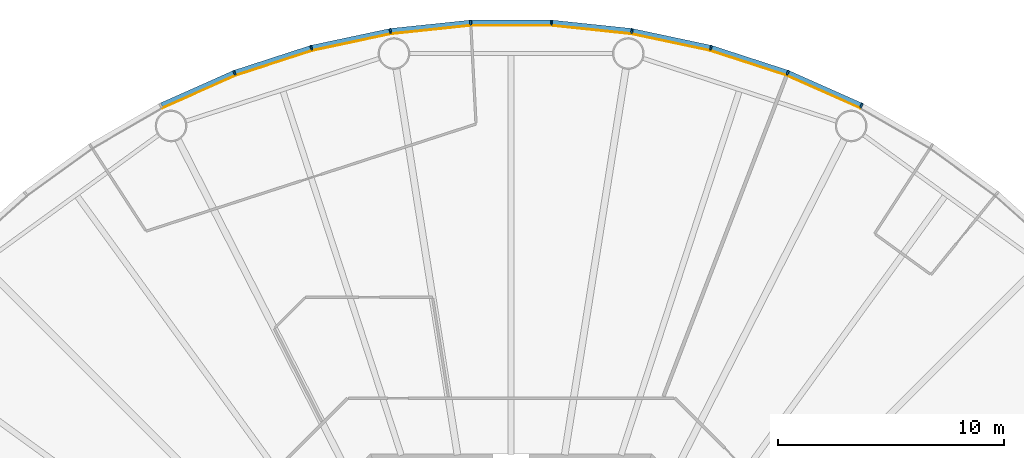
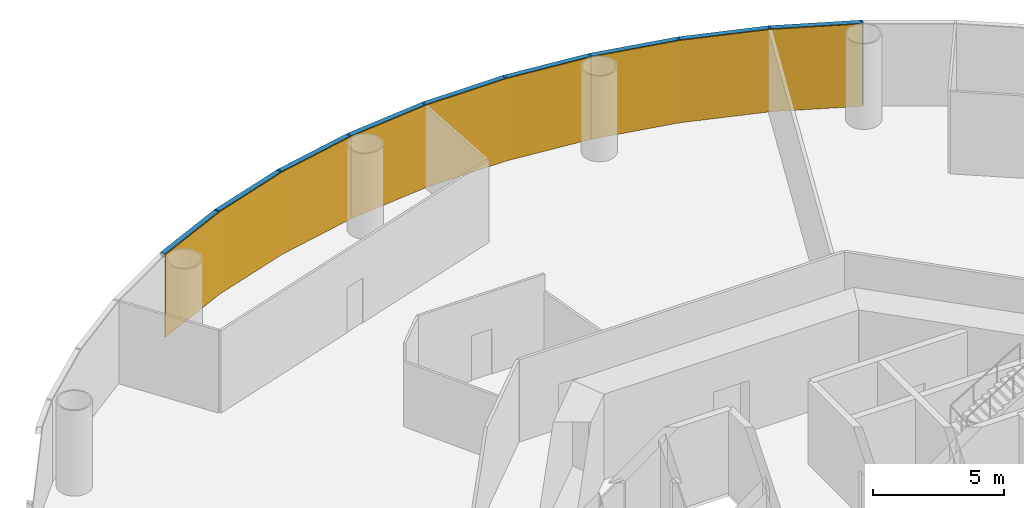
# One storey, part 12 of 13: 18 members, 3 curtain walls.
"""IFC4 building model written with IfcOpenShell, lengths in metres."""

from ifc_helpers import new_model, si_unit, direction, frame, origin, origin_2d, place, context, subcontext, project, spatial, polyline, rectangle, outline, extrude, material, layer, layer_set, material_profile, profile_set, type_object, element, aggregate, save


model = new_model("IFC4")

# Units and contexts
model_context = context("Model", 3, precision=1e-05, world=origin(), true_north=direction((0.0, 1.0)))
body_context = subcontext(model_context, "Body", "Model", "MODEL_VIEW")
ifc_project = project(units=[si_unit("LENGTHUNIT", "METRE"), si_unit("AREAUNIT", "SQUARE_METRE"), si_unit("VOLUMEUNIT", "CUBIC_METRE"), si_unit("PLANEANGLEUNIT", "RADIAN"), si_unit("MASSUNIT", "GRAM", prefix="KILO")], contexts=[model_context])

# Member
ifc_material_1 = material(Name="Anodised aluminium", Category="aluminium")
ifc_material_profile_1 = material_profile(ifc_material_1, rectangle(XDim=0.074951171875, YDim=0.219970703125, at=origin_2d()), Name="Mullion 75 x 220 mm anodised aluminium")
ifc_profile_set_1 = profile_set([ifc_material_profile_1], Name="Anodised aluminium")
member_type_1 = type_object("IfcMemberType", Name="Mullion 75 x 220 mm anodised aluminium", PredefinedType="MULLION", material=ifc_profile_set_1)
site_placement = place(None, origin())
building_placement = place(site_placement, origin())
storey_placement = place(building_placement, frame((0.0, 0.0, 22.0)))
member_1_placement = place(storey_placement, frame((105.485595703125, 110.392333984375, 0.0), z_axis=(0.0, 0.0, 1.0), x_axis=(-0.891006524188, 0.45399049974, 0.0)))
member_1 = element("IfcMember", 1, at=member_1_placement, type_object=member_type_1, Name="MULLION L03-09", PredefinedType="MULLION", context=body_context, shape_type="SweptSolid", body=[
    extrude(rectangle(XDim=0.074951171875, YDim=0.219970703125, at=origin_2d()), origin(), (0.0, 0.0, 1.0), 3.85009765625),
])

member_2_placement = place(storey_placement, frame((102.223876953125, 111.844482421875, 0.0), z_axis=(0.0, 0.0, 1.0), x_axis=(-0.933580426497, 0.358367949545, 0.0)))
member_2 = element("IfcMember", 2, at=member_2_placement, type_object=member_type_1, Name="MULLION L03-10", PredefinedType="MULLION", context=body_context, shape_type="SweptSolid", body=[
    extrude(rectangle(XDim=0.074951171875, YDim=0.219970703125, at=origin_2d()), origin(), (0.0, 0.0, 1.0), 3.85009765625),
])

member_3_placement = place(storey_placement, frame((98.828369140625, 112.94775390625, 0.0), z_axis=(0.0, 0.0, 1.0), x_axis=(-0.965925826289, 0.258819045103, 0.0)))
member_3 = element("IfcMember", 3, at=member_3_placement, type_object=member_type_1, Name="MULLION L03-11", PredefinedType="MULLION", context=body_context, shape_type="SweptSolid", body=[
    extrude(rectangle(XDim=0.074951171875, YDim=0.219970703125, at=origin_2d()), origin(), (0.0, 0.0, 1.0), 3.85009765625),
])

member_4_placement = place(storey_placement, frame((95.3359375, 113.68994140625, 0.0), z_axis=(0.0, 0.0, 1.0), x_axis=(-0.987688340595, 0.15643446504, 0.0)))
member_4 = element("IfcMember", 4, at=member_4_placement, type_object=member_type_1, Name="MULLION L03-12", PredefinedType="MULLION", context=body_context, shape_type="SweptSolid", body=[
    extrude(rectangle(XDim=0.074951171875, YDim=0.219970703125, at=origin_2d()), origin(), (0.0, 0.0, 1.0), 3.85009765625),
])

member_5_placement = place(storey_placement, frame((91.78515625, 114.063232421875, 0.0), z_axis=(0.0, 0.0, 1.0), x_axis=(-0.998629534755, 0.052335956243, 0.0)))
member_5 = element("IfcMember", 5, at=member_5_placement, type_object=member_type_1, Name="MULLION L03-13", PredefinedType="MULLION", context=body_context, shape_type="SweptSolid", body=[
    extrude(rectangle(XDim=0.074951171875, YDim=0.219970703125, at=origin_2d()), origin(), (0.0, 0.0, 1.0), 3.85009765625),
])

member_6_placement = place(storey_placement, frame((88.21484375, 114.063232421875, 0.0), z_axis=(0.0, 0.0, 1.0), x_axis=(-0.998629534755, -0.052335956243, 0.0)))
member_6 = element("IfcMember", 6, at=member_6_placement, type_object=member_type_1, Name="MULLION L03-14", PredefinedType="MULLION", context=body_context, shape_type="SweptSolid", body=[
    extrude(rectangle(XDim=0.074951171875, YDim=0.219970703125, at=origin_2d()), origin(), (0.0, 0.0, 1.0), 3.85009765625),
])

member_7_placement = place(storey_placement, frame((84.6640625, 113.68994140625, 0.0), z_axis=(0.0, 0.0, 1.0), x_axis=(-0.987688340595, -0.15643446504, 0.0)))
member_7 = element("IfcMember", 7, at=member_7_placement, type_object=member_type_1, Name="MULLION L03-15", PredefinedType="MULLION", context=body_context, shape_type="SweptSolid", body=[
    extrude(rectangle(XDim=0.074951171875, YDim=0.219970703125, at=origin_2d()), origin(), (0.0, 0.0, 1.0), 3.85009765625),
])

member_8_placement = place(storey_placement, frame((81.171630859375, 112.94775390625, 0.0), z_axis=(0.0, 0.0, 1.0), x_axis=(-0.965925826289, -0.258819045103, 0.0)))
member_8 = element("IfcMember", 8, at=member_8_placement, type_object=member_type_1, Name="MULLION L03-16", PredefinedType="MULLION", context=body_context, shape_type="SweptSolid", body=[
    extrude(rectangle(XDim=0.074951171875, YDim=0.219970703125, at=origin_2d()), origin(), (0.0, 0.0, 1.0), 3.85009765625),
])

member_9_placement = place(storey_placement, frame((77.776123046875, 111.844482421875, 0.0), z_axis=(0.0, 0.0, 1.0), x_axis=(-0.933580426497, -0.358367949545, 0.0)))
member_9 = element("IfcMember", 9, at=member_9_placement, type_object=member_type_1, Name="MULLION L03-17", PredefinedType="MULLION", context=body_context, shape_type="SweptSolid", body=[
    extrude(rectangle(XDim=0.074951171875, YDim=0.219970703125, at=origin_2d()), origin(), (0.0, 0.0, 1.0), 3.85009765625),
])

ifc_material_2 = material(Name="Anodised aluminium", Category="aluminium")
ifc_material_profile_2 = material_profile(ifc_material_2, rectangle(XDim=0.219970703125, YDim=0.199951171875, at=origin_2d()), Name="Transom 200 x 220 mm anodised aluminium")
ifc_profile_set_2 = profile_set([ifc_material_profile_2], Name="Anodised aluminium")
member_type_2 = type_object("IfcMemberType", Name="Transom 200 x 220 mm anodised aluminium", PredefinedType="USERDEFINED", material=ifc_profile_set_2)
member_10_placement = place(storey_placement, frame((105.446044921875, 110.409912109375, 3.75), z_axis=(-0.913545487371, 0.406736576304, 0.0), x_axis=(-0.406736576304, -0.913545487371, 0.0)))
member_10 = element("IfcMember", 10, at=member_10_placement, type_object=member_type_2, Name="TRANSOM L03-09", ObjectType="TRANSOM", PredefinedType="USERDEFINED", context=body_context, shape_type="SweptSolid", body=[
    extrude(rectangle(XDim=0.219970703125, YDim=0.199951171875, at=origin_2d()), origin(), (0.0, 0.0, 1.0), 3.48388671875),
])

member_11_placement = place(storey_placement, frame((102.182861328125, 111.85791015625, 3.75), z_axis=(-0.951052605696, 0.309029029702, 0.0), x_axis=(-0.309029029702, -0.951052605696, 0.0)))
member_11 = element("IfcMember", 11, at=member_11_placement, type_object=member_type_2, Name="TRANSOM L03-10", ObjectType="TRANSOM", PredefinedType="USERDEFINED", context=body_context, shape_type="SweptSolid", body=[
    extrude(rectangle(XDim=0.219970703125, YDim=0.199951171875, at=origin_2d()), origin(), (0.0, 0.0, 1.0), 3.484130859375),
])

member_12_placement = place(storey_placement, frame((98.7861328125, 112.956787109375, 3.75), z_axis=(-0.978145669426, 0.207920776701, 0.0), x_axis=(-0.207920776701, -0.978145669426, 0.0)))
member_12 = element("IfcMember", 12, at=member_12_placement, type_object=member_type_2, Name="TRANSOM L03-11", ObjectType="TRANSOM", PredefinedType="USERDEFINED", context=body_context, shape_type="SweptSolid", body=[
    extrude(rectangle(XDim=0.219970703125, YDim=0.199951171875, at=origin_2d()), origin(), (0.0, 0.0, 1.0), 3.48388671875),
])

member_13_placement = place(storey_placement, frame((95.29296875, 113.69482421875, 3.75), z_axis=(-0.994526551648, 0.104484152234, 0.0), x_axis=(-0.104484152234, -0.994526551648, 0.0)))
member_13 = element("IfcMember", 13, at=member_13_placement, type_object=member_type_2, Name="TRANSOM L03-12", ObjectType="TRANSOM", PredefinedType="USERDEFINED", context=body_context, shape_type="SweptSolid", body=[
    extrude(rectangle(XDim=0.219970703125, YDim=0.199951171875, at=origin_2d()), origin(), (0.0, 0.0, 1.0), 3.48388671875),
])

member_14_placement = place(storey_placement, frame((91.741943359375, 114.0634765625, 3.75), z_axis=(-1.0, 0.0, 0.0), x_axis=(0.0, -1.0, 0.0)))
member_14 = element("IfcMember", 14, at=member_14_placement, type_object=member_type_2, Name="TRANSOM L03-13", ObjectType="TRANSOM", PredefinedType="USERDEFINED", context=body_context, shape_type="SweptSolid", body=[
    extrude(rectangle(XDim=0.219970703125, YDim=0.199951171875, at=origin_2d()), origin(), (0.0, 0.0, 1.0), 3.48388671875),
])

member_15_placement = place(storey_placement, frame((88.171875, 114.058837890625, 3.75), z_axis=(-0.994526551648, -0.104484152234, 0.0), x_axis=(0.104484152234, -0.994526551648, 0.0)))
member_15 = element("IfcMember", 15, at=member_15_placement, type_object=member_type_2, Name="TRANSOM L03-14", ObjectType="TRANSOM", PredefinedType="USERDEFINED", context=body_context, shape_type="SweptSolid", body=[
    extrude(rectangle(XDim=0.219970703125, YDim=0.199951171875, at=origin_2d()), origin(), (0.0, 0.0, 1.0), 3.48388671875),
])

member_16_placement = place(storey_placement, frame((84.62158203125, 113.68115234375, 3.75), z_axis=(-0.978145669426, -0.207920776701, 0.0), x_axis=(0.207920776701, -0.978145669426, 0.0)))
member_16 = element("IfcMember", 16, at=member_16_placement, type_object=member_type_2, Name="TRANSOM L03-15", ObjectType="TRANSOM", PredefinedType="USERDEFINED", context=body_context, shape_type="SweptSolid", body=[
    extrude(rectangle(XDim=0.219970703125, YDim=0.199951171875, at=origin_2d()), origin(), (0.0, 0.0, 1.0), 3.48388671875),
])

member_17_placement = place(storey_placement, frame((81.130615234375, 112.9345703125, 3.75), z_axis=(-0.951052605696, -0.309029029702, 0.0), x_axis=(0.309029029702, -0.951052605696, 0.0)))
member_17 = element("IfcMember", 17, at=member_17_placement, type_object=member_type_2, Name="TRANSOM L03-16", ObjectType="TRANSOM", PredefinedType="USERDEFINED", context=body_context, shape_type="SweptSolid", body=[
    extrude(rectangle(XDim=0.219970703125, YDim=0.199951171875, at=origin_2d()), origin(), (0.0, 0.0, 1.0), 3.484130859375),
])

member_18_placement = place(storey_placement, frame((77.736572265625, 111.826904296875, 3.75), z_axis=(-0.913545487371, -0.406736576304, 0.0), x_axis=(0.406736576304, -0.913545487371, 0.0)))
member_18 = element("IfcMember", 18, at=member_18_placement, type_object=member_type_2, Name="TRANSOM L03-17", ObjectType="TRANSOM", PredefinedType="USERDEFINED", context=body_context, shape_type="SweptSolid", body=[
    extrude(rectangle(XDim=0.219970703125, YDim=0.199951171875, at=origin_2d()), origin(), (0.0, 0.0, 1.0), 3.48388671875),
])

# Site, building, storey
site = spatial("IfcSite", under=ifc_project, at=site_placement, CompositionType="ELEMENT")
building = spatial("IfcBuilding", under=site, at=building_placement, Name="Entoto Ring Tower", CompositionType="ELEMENT")
storey = spatial("IfcBuildingStorey", under=building, at=storey_placement, Name="L03", CompositionType="ELEMENT", Elevation=22.0)

# Curtain wall
ifc_material_3 = material(Name="Clear low-iron glass", Category="glass")
ifc_layer = layer(ifc_material_3, 0.0400390625)
ifc_layer_set = layer_set([ifc_layer], Name="Clear low-iron glass")
curtain_wall_type = type_object("IfcCurtainWallType", Name="Curtain wall system CW1 glazing 40 mm", PredefinedType="NOTDEFINED", material=ifc_layer_set)
curtain_wall_1_placement = place(storey_placement, origin())
curtain_wall_1 = element("IfcCurtainWall", 19, at=curtain_wall_1_placement, inside=storey, type_object=curtain_wall_type, Name="CW1 L03-04", PredefinedType="NOTDEFINED", context=body_context, shape_type="SweptSolid", body=[
    extrude(outline(polyline([(105.435791015625, 110.294189453125), (102.1845703125, 111.74169921875), (98.7998046875, 112.841552734375), (95.31884765625, 113.581298828125), (95.3125, 113.541748046875), (98.78955078125, 112.802734375), (102.170166015625, 111.704345703125), (105.41748046875, 110.258544921875), (105.435791015625, 110.294189453125)])), origin(), (0.0, 0.0, 1.0), 3.85009765625),
])

aggregate(curtain_wall_1, [member_1, member_2, member_3, member_10, member_11, member_12])

curtain_wall_2_placement = place(storey_placement, origin())
curtain_wall_2 = element("IfcCurtainWall", 20, at=curtain_wall_2_placement, inside=storey, type_object=curtain_wall_type, Name="CW1 L03-05", PredefinedType="NOTDEFINED", context=body_context, shape_type="SweptSolid", body=[
    extrude(outline(polyline([(95.31884765625, 113.581298828125), (91.779541015625, 113.953369140625), (88.220458984375, 113.953369140625), (84.68115234375, 113.581298828125), (84.6875, 113.541748046875), (88.22265625, 113.913330078125), (91.77734375, 113.913330078125), (95.3125, 113.541748046875), (95.31884765625, 113.581298828125)])), origin(), (0.0, 0.0, 1.0), 3.85009765625),
])

aggregate(curtain_wall_2, [member_4, member_5, member_6, member_13, member_14, member_15])

curtain_wall_3_placement = place(storey_placement, origin())
curtain_wall_3 = element("IfcCurtainWall", 21, at=curtain_wall_3_placement, inside=storey, type_object=curtain_wall_type, Name="CW1 L03-06", PredefinedType="NOTDEFINED", context=body_context, shape_type="SweptSolid", body=[
    extrude(outline(polyline([(84.68115234375, 113.581298828125), (81.2001953125, 112.841552734375), (77.8154296875, 111.74169921875), (74.564208984375, 110.294189453125), (74.58251953125, 110.258544921875), (77.829833984375, 111.704345703125), (81.21044921875, 112.802734375), (84.6875, 113.541748046875), (84.68115234375, 113.581298828125)])), origin(), (0.0, 0.0, 1.0), 3.85009765625),
])

aggregate(curtain_wall_3, [member_7, member_8, member_9, member_16, member_17, member_18])

save(model, "model.ifc")
